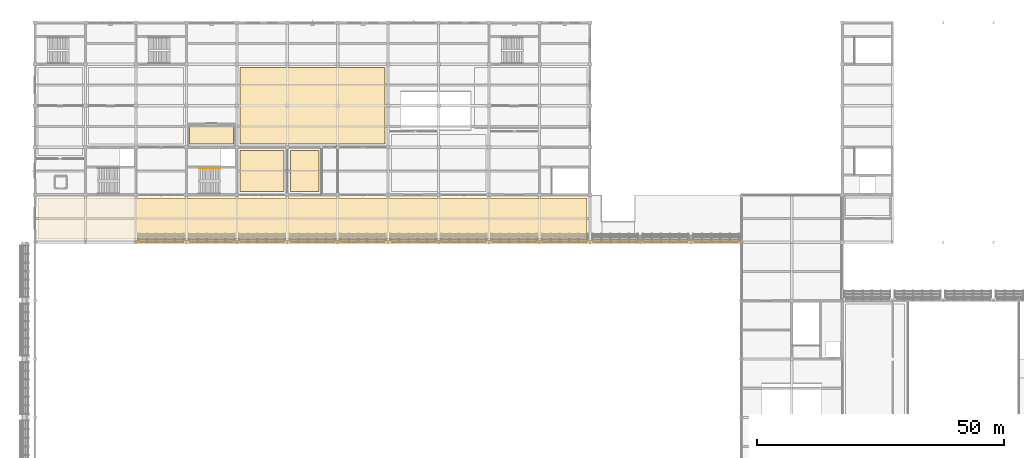
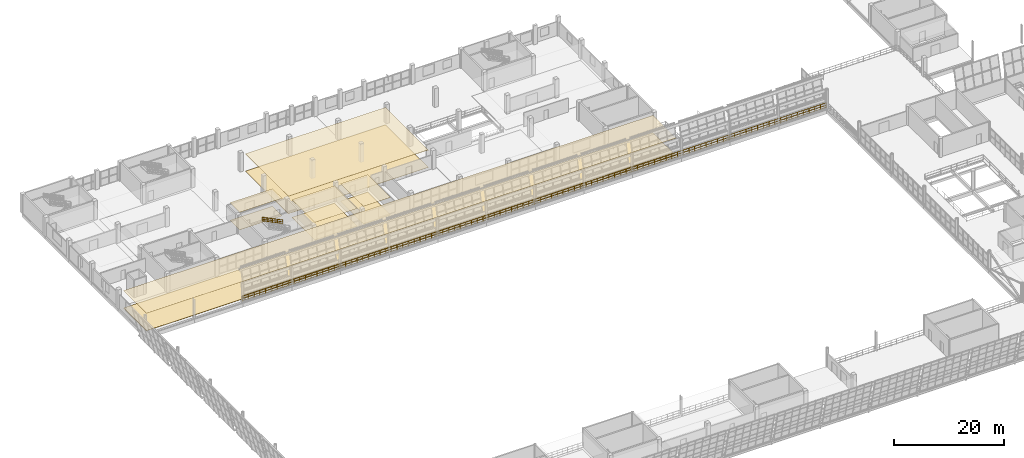
# One storey, part 150 of 157: 10 coverings, 2 railings.
"""IFC4 building model written with IfcOpenShell, lengths in metres."""

from ifc_helpers import new_model, si_unit, direction, frame, origin, origin_2d, place, context, subcontext, project, spatial, polyline, circle, outline, extrude, material, layer, layer_set, type_object, element, save


model = new_model("IFC4")

# Units and contexts
model_context = context("Model", 3, precision=1e-05, world=origin(), true_north=direction((0.0, 1.0)))
body_context = subcontext(model_context, "Body", "Model", "MODEL_VIEW")
ifc_project = project(units=[si_unit("LENGTHUNIT", "METRE"), si_unit("AREAUNIT", "SQUARE_METRE"), si_unit("VOLUMEUNIT", "CUBIC_METRE"), si_unit("PLANEANGLEUNIT", "RADIAN"), si_unit("MASSUNIT", "GRAM", prefix="KILO")], contexts=[model_context])

# Site, building, storey
site_placement = place(None, origin())
site = spatial("IfcSite", under=ifc_project, at=site_placement, CompositionType="ELEMENT")
building_placement = place(site_placement, origin())
building = spatial("IfcBuilding", under=site, at=building_placement, Name="Brelvane Convention Centre", CompositionType="ELEMENT")
storey_placement = place(building_placement, frame((0.0, 0.0, 10.800048828125)))
storey = spatial("IfcBuildingStorey", under=building, at=storey_placement, Name="L02", CompositionType="ELEMENT", Elevation=10.800048828125)

# Coverings
ifc_material_1 = material(Name="Perforated Anodised Aluminium Alloy 6063 Acoustic Baffle", Category="aluminium")
ifc_layer_1 = layer(ifc_material_1, 0.074951171875)
ifc_layer_set_1 = layer_set([ifc_layer_1], Name="Perforated Anodised Aluminium Alloy 6063 Acoustic Baffle")
covering_type_1 = type_object("IfcCoveringType", Name="Interior Finish CL-BAF-75", PredefinedType="CEILING", material=ifc_layer_set_1)
covering_1_placement = place(storey_placement, frame((0.0, 0.0, 3.829833984375)))
element("IfcCovering", 1, at=covering_1_placement, inside=storey, type_object=covering_type_1, Name="Meeting Room 303 Acoustic Ceiling (CL-BAF-75)", PredefinedType="CEILING", context=body_context, shape_type="SweptSolid", body=[
    extrude(outline(polyline([(41.429931640625, 119.429931640625), (70.77001953125, 119.429931640625), (70.77001953125, 134.969970703125), (41.429931640625, 134.969970703125), (41.429931640625, 119.429931640625)])), origin(), (0.0, 0.0, 1.0), 0.0751953125),
])
ifc_material_2 = material(Name="Moisture-Resistant Acoustic Gypsum Ceiling Tile Grade A")
ifc_layer_2 = layer(ifc_material_2, 0.01806640625)
ifc_layer_set_2 = layer_set([ifc_layer_2], Name="Moisture-Resistant Acoustic Gypsum Ceiling Tile Grade A")
covering_type_2 = type_object("IfcCoveringType", Name="Interior Finish CL-GYP-18", PredefinedType="CEILING", material=ifc_layer_set_2)
covering_2_placement = place(storey_placement, frame((0.0, 0.0, 3.886962890625)))
element("IfcCovering", 2, at=covering_2_placement, inside=storey, type_object=covering_type_2, Name="Firefighting Lift Lobby C7 Acoustic Ceiling (CL-GYP-18)", PredefinedType="CEILING", context=body_context, shape_type="SweptSolid", body=[
    extrude(outline(polyline([(31.22998046875, 119.429931640625), (40.169921875, 119.429931640625), (40.169921875, 122.969970703125), (31.22998046875, 122.969970703125), (31.22998046875, 119.429931640625)])), origin(), (0.0, 0.0, 1.0), 0.01806640625),
])
covering_3_placement = place(storey_placement, frame((0.0, 0.0, 3.886962890625)))
element("IfcCovering", 3, at=covering_3_placement, inside=storey, type_object=covering_type_2, Name="Level 2 Male Restroom Acoustic Ceiling (CL-GYP-18)", PredefinedType="CEILING", context=body_context, shape_type="SweptSolid", body=[
    extrude(outline(polyline([(41.429931640625, 109.830078125), (50.3701171875, 109.830078125), (50.3701171875, 118.169921875), (41.429931640625, 118.169921875), (41.429931640625, 109.830078125)])), origin(), (0.0, 0.0, 1.0), 0.01806640625),
])
ifc_material_3 = material(Name="Moisture-Resistant Acoustic Gypsum Ceiling Tile Grade A")
ifc_layer_3 = layer(ifc_material_3, 0.02490234375)
ifc_layer_set_3 = layer_set([ifc_layer_3], Name="Moisture-Resistant Acoustic Gypsum Ceiling Tile Grade A")
covering_type_3 = type_object("IfcCoveringType", Name="Interior Finish CL-GYP-25", PredefinedType="CEILING", material=ifc_layer_set_3)
covering_4_placement = place(storey_placement, frame((0.0, 0.0, 3.8798828125)))
element("IfcCovering", 4, at=covering_4_placement, inside=storey, type_object=covering_type_3, Name="Level 2 Female Restroom Acoustic Ceiling (CL-GYP-25)", PredefinedType="CEILING", context=body_context, shape_type="SweptSolid", body=[
    extrude(outline(polyline([(51.6298828125, 109.830078125), (57.3701171875, 109.830078125), (57.3701171875, 118.169921875), (51.6298828125, 118.169921875), (51.6298828125, 109.830078125)])), origin(), (0.0, 0.0, 1.0), 0.025146484375),
])
ifc_material_4 = material(Name="Moisture-Resistant Acoustic Gypsum Ceiling Tile Grade A")
ifc_layer_4 = layer(ifc_material_4, 0.033935546875)
ifc_layer_set_4 = layer_set([ifc_layer_4], Name="Moisture-Resistant Acoustic Gypsum Ceiling Tile Grade A")
covering_type_4 = type_object("IfcCoveringType", Name="Interior Finish CL-GYP-34", PredefinedType="CEILING", material=ifc_layer_set_4)
covering_5_placement = place(storey_placement, frame((0.0, 0.0, 3.85595703125)))
element("IfcCovering", 5, at=covering_5_placement, inside=storey, type_object=covering_type_4, Name="Pre-function Foyer Seminar L02 Acoustic Ceiling (CL-GYP-34)", PredefinedType="CEILING", context=body_context, shape_type="SweptSolid", body=[
    extrude(outline(polyline([(0.6298828125, 100.22998046875), (111.570068359375, 100.22998046875), (111.570068359375, 108.570068359375), (0.6298828125, 108.570068359375), (0.6298828125, 100.22998046875)])), origin(), (0.0, 0.0, 1.0), 0.033935546875),
])
ifc_material_5 = material(Name="Solution-Dyed Heavy Contract Wool Carpet Class 1")
ifc_layer_5 = layer(ifc_material_5, 0.02197265625)
ifc_layer_set_5 = layer_set([ifc_layer_5], Name="Solution-Dyed Heavy Contract Wool Carpet Class 1")
covering_type_5 = type_object("IfcCoveringType", Name="Interior Finish FL-CPT-22", PredefinedType="FLOORING", material=ifc_layer_set_5)
covering_6_placement = place(storey_placement, origin())
element("IfcCovering", 6, at=covering_6_placement, inside=storey, type_object=covering_type_5, Name="Firefighting Lift Lobby C7 Floor Finish (FL-CPT-22)", PredefinedType="FLOORING", context=body_context, shape_type="SweptSolid", body=[
    extrude(outline(polyline([(31.22998046875, 119.429931640625), (40.169921875, 119.429931640625), (40.169921875, 122.969970703125), (31.22998046875, 122.969970703125), (31.22998046875, 119.429931640625)])), origin(), (0.0, 0.0, 1.0), 0.02197265625),
])
covering_7_placement = place(storey_placement, origin())
element("IfcCovering", 7, at=covering_7_placement, inside=storey, type_object=covering_type_5, Name="Level 2 Male Restroom Floor Finish (FL-CPT-22)", PredefinedType="FLOORING", context=body_context, shape_type="SweptSolid", body=[
    extrude(outline(polyline([(41.429931640625, 109.830078125), (50.3701171875, 109.830078125), (50.3701171875, 118.169921875), (41.429931640625, 118.169921875), (41.429931640625, 109.830078125)])), origin(), (0.0, 0.0, 1.0), 0.02197265625),
])
ifc_material_6 = material(Name="Solution-Dyed Heavy Contract Wool Carpet Class 1")
ifc_layer_6 = layer(ifc_material_6, 0.028076171875)
ifc_layer_set_6 = layer_set([ifc_layer_6], Name="Solution-Dyed Heavy Contract Wool Carpet Class 1")
covering_type_6 = type_object("IfcCoveringType", Name="Interior Finish FL-CPT-28", PredefinedType="FLOORING", material=ifc_layer_set_6)
covering_8_placement = place(storey_placement, origin())
element("IfcCovering", 8, at=covering_8_placement, inside=storey, type_object=covering_type_6, Name="Level 2 Female Restroom Floor Finish (FL-CPT-28)", PredefinedType="FLOORING", context=body_context, shape_type="SweptSolid", body=[
    extrude(outline(polyline([(51.6298828125, 109.830078125), (57.3701171875, 109.830078125), (57.3701171875, 118.169921875), (51.6298828125, 118.169921875), (51.6298828125, 109.830078125)])), origin(), (0.0, 0.0, 1.0), 0.02783203125),
])
ifc_material_7 = material(Name="Polished Basalt-Aggregate Terrazzo Screed Concrete M30", Category="masonry")
ifc_layer_7 = layer(ifc_material_7, 0.031982421875)
ifc_layer_set_7 = layer_set([ifc_layer_7], Name="Polished Basalt-Aggregate Terrazzo Screed Concrete M30")
covering_type_7 = type_object("IfcCoveringType", Name="Interior Finish FL-STN-32", PredefinedType="FLOORING", material=ifc_layer_set_7)
covering_9_placement = place(storey_placement, origin())
element("IfcCovering", 9, at=covering_9_placement, inside=storey, type_object=covering_type_7, Name="Pre-function Foyer Seminar L02 Floor Finish (FL-STN-32)", PredefinedType="FLOORING", context=body_context, shape_type="SweptSolid", body=[
    extrude(outline(polyline([(0.6298828125, 100.22998046875), (111.570068359375, 100.22998046875), (111.570068359375, 108.570068359375), (0.6298828125, 108.570068359375), (0.6298828125, 100.22998046875)])), origin(), (0.0, 0.0, 1.0), 0.031982421875),
])
ifc_material_8 = material(Name="Polished Basalt-Aggregate Terrazzo Screed Concrete M30", Category="masonry")
ifc_layer_8 = layer(ifc_material_8, 0.050048828125)
ifc_layer_set_8 = layer_set([ifc_layer_8], Name="Polished Basalt-Aggregate Terrazzo Screed Concrete M30")
covering_type_8 = type_object("IfcCoveringType", Name="Interior Finish FL-TER-50", PredefinedType="FLOORING", material=ifc_layer_set_8)
covering_10_placement = place(storey_placement, origin())
element("IfcCovering", 10, at=covering_10_placement, inside=storey, type_object=covering_type_8, Name="Meeting Room 303 Floor Finish (FL-TER-50)", PredefinedType="FLOORING", context=body_context, shape_type="SweptSolid", body=[
    extrude(outline(polyline([(41.429931640625, 119.429931640625), (70.77001953125, 119.429931640625), (70.77001953125, 134.969970703125), (41.429931640625, 134.969970703125), (41.429931640625, 119.429931640625)])), origin(), (0.0, 0.0, 1.0), 0.050048828125),
])

# Railings
ifc_material_9 = material(Name="Steel E350 (350 MPa)", Category="steel")
railing_type_1 = type_object("IfcRailingType", Name="Railing GR-EXT-1", PredefinedType="GUARDRAIL", material=ifc_material_9)
railing_1_placement = place(storey_placement, frame((20.449951171875, 99.679931640625, 0.0)))
element("IfcRailing", 11, at=railing_1_placement, inside=storey, type_object=railing_type_1, Name="Railing GR-EXT-1 L02-court_s_edge_L02", PredefinedType="GUARDRAIL", context=body_context, shape_type="SweptSolid", body=[
    extrude(circle(Radius=0.02392578125, at=origin_2d()), frame((0.0, 0.0, 1.1259765625), z_axis=(1.0, 0.0, 0.0), x_axis=(0.0, 1.0, 0.0)), (0.0, 0.0, 1.0), 122.27001953125),
    extrude(circle(Radius=0.02392578125, at=origin_2d()), frame((0.0, 0.0, 0.597900390625), z_axis=(1.0, 0.0, 0.0), x_axis=(0.0, 1.0, 0.0)), (0.0, 0.0, 1.0), 122.27001953125),
    extrude(circle(Radius=0.02392578125, at=origin_2d()), frame((0.0, 0.0, 0.139892578125), z_axis=(1.0, 0.0, 0.0), x_axis=(0.0, 1.0, 0.0)), (0.0, 0.0, 1.0), 122.27001953125),
    extrude(circle(Radius=0.02099609375, at=origin_2d()), origin(), (0.0, 0.0, 1.0), 1.101806640625),
    extrude(circle(Radius=0.02099609375, at=origin_2d()), frame((1.19873046875, 0.0, 0.0)), (0.0, 0.0, 1.0), 1.101806640625),
    extrude(circle(Radius=0.02099609375, at=origin_2d()), frame((2.3974609375, 0.0, 0.0)), (0.0, 0.0, 1.0), 1.101806640625),
    extrude(circle(Radius=0.02099609375, at=origin_2d()), frame((3.59619140625, 0.0, 0.0)), (0.0, 0.0, 1.0), 1.101806640625),
    extrude(circle(Radius=0.02099609375, at=origin_2d()), frame((4.794921875, 0.0, 0.0)), (0.0, 0.0, 1.0), 1.101806640625),
    extrude(circle(Radius=0.02099609375, at=origin_2d()), frame((5.99365234375, 0.0, 0.0)), (0.0, 0.0, 1.0), 1.101806640625),
    extrude(circle(Radius=0.02099609375, at=origin_2d()), frame((7.1923828125, 0.0, 0.0)), (0.0, 0.0, 1.0), 1.101806640625),
    extrude(circle(Radius=0.02099609375, at=origin_2d()), frame((8.39111328125, 0.0, 0.0)), (0.0, 0.0, 1.0), 1.101806640625),
    extrude(circle(Radius=0.02099609375, at=origin_2d()), frame((9.58984375, 0.0, 0.0)), (0.0, 0.0, 1.0), 1.101806640625),
    extrude(circle(Radius=0.02099609375, at=origin_2d()), frame((10.78857421875, 0.0, 0.0)), (0.0, 0.0, 1.0), 1.101806640625),
    extrude(circle(Radius=0.02099609375, at=origin_2d()), frame((11.9873046875, 0.0, 0.0)), (0.0, 0.0, 1.0), 1.101806640625),
    extrude(circle(Radius=0.02099609375, at=origin_2d()), frame((13.18603515625, 0.0, 0.0)), (0.0, 0.0, 1.0), 1.101806640625),
    extrude(circle(Radius=0.02099609375, at=origin_2d()), frame((14.384765625, 0.0, 0.0)), (0.0, 0.0, 1.0), 1.101806640625),
    extrude(circle(Radius=0.02099609375, at=origin_2d()), frame((15.58349609375, 0.0, 0.0)), (0.0, 0.0, 1.0), 1.101806640625),
    extrude(circle(Radius=0.02099609375, at=origin_2d()), frame((16.7822265625, 0.0, 0.0)), (0.0, 0.0, 1.0), 1.101806640625),
    extrude(circle(Radius=0.02099609375, at=origin_2d()), frame((17.98095703125, 0.0, 0.0)), (0.0, 0.0, 1.0), 1.101806640625),
    extrude(circle(Radius=0.02099609375, at=origin_2d()), frame((19.1796875, 0.0, 0.0)), (0.0, 0.0, 1.0), 1.101806640625),
    extrude(circle(Radius=0.02099609375, at=origin_2d()), frame((20.37841796875, 0.0, 0.0)), (0.0, 0.0, 1.0), 1.101806640625),
    extrude(circle(Radius=0.02099609375, at=origin_2d()), frame((21.5771484375, 0.0, 0.0)), (0.0, 0.0, 1.0), 1.101806640625),
    extrude(circle(Radius=0.02099609375, at=origin_2d()), frame((22.77587890625, 0.0, 0.0)), (0.0, 0.0, 1.0), 1.101806640625),
    extrude(circle(Radius=0.02099609375, at=origin_2d()), frame((23.974609375, 0.0, 0.0)), (0.0, 0.0, 1.0), 1.101806640625),
    extrude(circle(Radius=0.02099609375, at=origin_2d()), frame((25.17333984375, 0.0, 0.0)), (0.0, 0.0, 1.0), 1.101806640625),
    extrude(circle(Radius=0.02099609375, at=origin_2d()), frame((26.3720703125, 0.0, 0.0)), (0.0, 0.0, 1.0), 1.101806640625),
    extrude(circle(Radius=0.02099609375, at=origin_2d()), frame((27.57080078125, 0.0, 0.0)), (0.0, 0.0, 1.0), 1.101806640625),
    extrude(circle(Radius=0.02099609375, at=origin_2d()), frame((28.76953125, 0.0, 0.0)), (0.0, 0.0, 1.0), 1.101806640625),
    extrude(circle(Radius=0.02099609375, at=origin_2d()), frame((29.96826171875, 0.0, 0.0)), (0.0, 0.0, 1.0), 1.101806640625),
    extrude(circle(Radius=0.02099609375, at=origin_2d()), frame((31.166748046875, 0.0, 0.0)), (0.0, 0.0, 1.0), 1.101806640625),
    extrude(circle(Radius=0.02099609375, at=origin_2d()), frame((32.365478515625, 0.0, 0.0)), (0.0, 0.0, 1.0), 1.101806640625),
    extrude(circle(Radius=0.02099609375, at=origin_2d()), frame((33.564208984375, 0.0, 0.0)), (0.0, 0.0, 1.0), 1.101806640625),
    extrude(circle(Radius=0.02099609375, at=origin_2d()), frame((34.762939453125, 0.0, 0.0)), (0.0, 0.0, 1.0), 1.101806640625),
    extrude(circle(Radius=0.02099609375, at=origin_2d()), frame((35.961669921875, 0.0, 0.0)), (0.0, 0.0, 1.0), 1.101806640625),
    extrude(circle(Radius=0.02099609375, at=origin_2d()), frame((37.160400390625, 0.0, 0.0)), (0.0, 0.0, 1.0), 1.101806640625),
    extrude(circle(Radius=0.02099609375, at=origin_2d()), frame((38.359130859375, 0.0, 0.0)), (0.0, 0.0, 1.0), 1.101806640625),
    extrude(circle(Radius=0.02099609375, at=origin_2d()), frame((39.557861328125, 0.0, 0.0)), (0.0, 0.0, 1.0), 1.101806640625),
    extrude(circle(Radius=0.02099609375, at=origin_2d()), frame((40.756591796875, 0.0, 0.0)), (0.0, 0.0, 1.0), 1.101806640625),
    extrude(circle(Radius=0.02099609375, at=origin_2d()), frame((41.955322265625, 0.0, 0.0)), (0.0, 0.0, 1.0), 1.101806640625),
    extrude(circle(Radius=0.02099609375, at=origin_2d()), frame((43.154052734375, 0.0, 0.0)), (0.0, 0.0, 1.0), 1.101806640625),
    extrude(circle(Radius=0.02099609375, at=origin_2d()), frame((44.352783203125, 0.0, 0.0)), (0.0, 0.0, 1.0), 1.101806640625),
    extrude(circle(Radius=0.02099609375, at=origin_2d()), frame((45.551513671875, 0.0, 0.0)), (0.0, 0.0, 1.0), 1.101806640625),
    extrude(circle(Radius=0.02099609375, at=origin_2d()), frame((46.750244140625, 0.0, 0.0)), (0.0, 0.0, 1.0), 1.101806640625),
    extrude(circle(Radius=0.02099609375, at=origin_2d()), frame((47.948974609375, 0.0, 0.0)), (0.0, 0.0, 1.0), 1.101806640625),
    extrude(circle(Radius=0.02099609375, at=origin_2d()), frame((49.147705078125, 0.0, 0.0)), (0.0, 0.0, 1.0), 1.101806640625),
    extrude(circle(Radius=0.02099609375, at=origin_2d()), frame((50.346435546875, 0.0, 0.0)), (0.0, 0.0, 1.0), 1.101806640625),
    extrude(circle(Radius=0.02099609375, at=origin_2d()), frame((51.545166015625, 0.0, 0.0)), (0.0, 0.0, 1.0), 1.101806640625),
    extrude(circle(Radius=0.02099609375, at=origin_2d()), frame((52.743896484375, 0.0, 0.0)), (0.0, 0.0, 1.0), 1.101806640625),
    extrude(circle(Radius=0.02099609375, at=origin_2d()), frame((53.942626953125, 0.0, 0.0)), (0.0, 0.0, 1.0), 1.101806640625),
    extrude(circle(Radius=0.02099609375, at=origin_2d()), frame((55.141357421875, 0.0, 0.0)), (0.0, 0.0, 1.0), 1.101806640625),
    extrude(circle(Radius=0.02099609375, at=origin_2d()), frame((56.340087890625, 0.0, 0.0)), (0.0, 0.0, 1.0), 1.101806640625),
    extrude(circle(Radius=0.02099609375, at=origin_2d()), frame((57.538818359375, 0.0, 0.0)), (0.0, 0.0, 1.0), 1.101806640625),
    extrude(circle(Radius=0.02099609375, at=origin_2d()), frame((58.737548828125, 0.0, 0.0)), (0.0, 0.0, 1.0), 1.101806640625),
    extrude(circle(Radius=0.02099609375, at=origin_2d()), frame((59.936279296875, 0.0, 0.0)), (0.0, 0.0, 1.0), 1.101806640625),
    extrude(circle(Radius=0.02099609375, at=origin_2d()), frame((61.135009765625, 0.0, 0.0)), (0.0, 0.0, 1.0), 1.101806640625),
    extrude(circle(Radius=0.02099609375, at=origin_2d()), frame((62.333740234375, 0.0, 0.0)), (0.0, 0.0, 1.0), 1.101806640625),
    extrude(circle(Radius=0.02099609375, at=origin_2d()), frame((63.532470703125, 0.0, 0.0)), (0.0, 0.0, 1.0), 1.101806640625),
    extrude(circle(Radius=0.02099609375, at=origin_2d()), frame((64.731201171875, 0.0, 0.0)), (0.0, 0.0, 1.0), 1.101806640625),
    extrude(circle(Radius=0.02099609375, at=origin_2d()), frame((65.929931640625, 0.0, 0.0)), (0.0, 0.0, 1.0), 1.101806640625),
    extrude(circle(Radius=0.02099609375, at=origin_2d()), frame((67.128662109375, 0.0, 0.0)), (0.0, 0.0, 1.0), 1.101806640625),
    extrude(circle(Radius=0.02099609375, at=origin_2d()), frame((68.327392578125, 0.0, 0.0)), (0.0, 0.0, 1.0), 1.101806640625),
    extrude(circle(Radius=0.02099609375, at=origin_2d()), frame((69.526123046875, 0.0, 0.0)), (0.0, 0.0, 1.0), 1.101806640625),
    extrude(circle(Radius=0.02099609375, at=origin_2d()), frame((70.724853515625, 0.0, 0.0)), (0.0, 0.0, 1.0), 1.101806640625),
    extrude(circle(Radius=0.02099609375, at=origin_2d()), frame((71.923583984375, 0.0, 0.0)), (0.0, 0.0, 1.0), 1.101806640625),
    extrude(circle(Radius=0.02099609375, at=origin_2d()), frame((73.122314453125, 0.0, 0.0)), (0.0, 0.0, 1.0), 1.101806640625),
    extrude(circle(Radius=0.02099609375, at=origin_2d()), frame((74.321044921875, 0.0, 0.0)), (0.0, 0.0, 1.0), 1.101806640625),
    extrude(circle(Radius=0.02099609375, at=origin_2d()), frame((75.519775390625, 0.0, 0.0)), (0.0, 0.0, 1.0), 1.101806640625),
    extrude(circle(Radius=0.02099609375, at=origin_2d()), frame((76.718505859375, 0.0, 0.0)), (0.0, 0.0, 1.0), 1.101806640625),
    extrude(circle(Radius=0.02099609375, at=origin_2d()), frame((77.917236328125, 0.0, 0.0)), (0.0, 0.0, 1.0), 1.101806640625),
    extrude(circle(Radius=0.02099609375, at=origin_2d()), frame((79.115966796875, 0.0, 0.0)), (0.0, 0.0, 1.0), 1.101806640625),
    extrude(circle(Radius=0.02099609375, at=origin_2d()), frame((80.314697265625, 0.0, 0.0)), (0.0, 0.0, 1.0), 1.101806640625),
    extrude(circle(Radius=0.02099609375, at=origin_2d()), frame((81.513427734375, 0.0, 0.0)), (0.0, 0.0, 1.0), 1.101806640625),
    extrude(circle(Radius=0.02099609375, at=origin_2d()), frame((82.712158203125, 0.0, 0.0)), (0.0, 0.0, 1.0), 1.101806640625),
    extrude(circle(Radius=0.02099609375, at=origin_2d()), frame((83.910888671875, 0.0, 0.0)), (0.0, 0.0, 1.0), 1.101806640625),
    extrude(circle(Radius=0.02099609375, at=origin_2d()), frame((85.109619140625, 0.0, 0.0)), (0.0, 0.0, 1.0), 1.101806640625),
    extrude(circle(Radius=0.02099609375, at=origin_2d()), frame((86.308349609375, 0.0, 0.0)), (0.0, 0.0, 1.0), 1.101806640625),
    extrude(circle(Radius=0.02099609375, at=origin_2d()), frame((87.507080078125, 0.0, 0.0)), (0.0, 0.0, 1.0), 1.101806640625),
    extrude(circle(Radius=0.02099609375, at=origin_2d()), frame((88.705810546875, 0.0, 0.0)), (0.0, 0.0, 1.0), 1.101806640625),
    extrude(circle(Radius=0.02099609375, at=origin_2d()), frame((89.904541015625, 0.0, 0.0)), (0.0, 0.0, 1.0), 1.101806640625),
    extrude(circle(Radius=0.02099609375, at=origin_2d()), frame((91.103271484375, 0.0, 0.0)), (0.0, 0.0, 1.0), 1.101806640625),
    extrude(circle(Radius=0.02099609375, at=origin_2d()), frame((92.3017578125, 0.0, 0.0)), (0.0, 0.0, 1.0), 1.101806640625),
    extrude(circle(Radius=0.02099609375, at=origin_2d()), frame((93.50048828125, 0.0, 0.0)), (0.0, 0.0, 1.0), 1.101806640625),
    extrude(circle(Radius=0.02099609375, at=origin_2d()), frame((94.69921875, 0.0, 0.0)), (0.0, 0.0, 1.0), 1.101806640625),
    extrude(circle(Radius=0.02099609375, at=origin_2d()), frame((95.89794921875, 0.0, 0.0)), (0.0, 0.0, 1.0), 1.101806640625),
    extrude(circle(Radius=0.02099609375, at=origin_2d()), frame((97.0966796875, 0.0, 0.0)), (0.0, 0.0, 1.0), 1.101806640625),
    extrude(circle(Radius=0.02099609375, at=origin_2d()), frame((98.29541015625, 0.0, 0.0)), (0.0, 0.0, 1.0), 1.101806640625),
    extrude(circle(Radius=0.02099609375, at=origin_2d()), frame((99.494140625, 0.0, 0.0)), (0.0, 0.0, 1.0), 1.101806640625),
    extrude(circle(Radius=0.02099609375, at=origin_2d()), frame((100.69287109375, 0.0, 0.0)), (0.0, 0.0, 1.0), 1.101806640625),
    extrude(circle(Radius=0.02099609375, at=origin_2d()), frame((101.8916015625, 0.0, 0.0)), (0.0, 0.0, 1.0), 1.101806640625),
    extrude(circle(Radius=0.02099609375, at=origin_2d()), frame((103.09033203125, 0.0, 0.0)), (0.0, 0.0, 1.0), 1.101806640625),
    extrude(circle(Radius=0.02099609375, at=origin_2d()), frame((104.2890625, 0.0, 0.0)), (0.0, 0.0, 1.0), 1.101806640625),
    extrude(circle(Radius=0.02099609375, at=origin_2d()), frame((105.48779296875, 0.0, 0.0)), (0.0, 0.0, 1.0), 1.101806640625),
    extrude(circle(Radius=0.02099609375, at=origin_2d()), frame((106.6865234375, 0.0, 0.0)), (0.0, 0.0, 1.0), 1.101806640625),
    extrude(circle(Radius=0.02099609375, at=origin_2d()), frame((107.88525390625, 0.0, 0.0)), (0.0, 0.0, 1.0), 1.101806640625),
    extrude(circle(Radius=0.02099609375, at=origin_2d()), frame((109.083984375, 0.0, 0.0)), (0.0, 0.0, 1.0), 1.101806640625),
    extrude(circle(Radius=0.02099609375, at=origin_2d()), frame((110.28271484375, 0.0, 0.0)), (0.0, 0.0, 1.0), 1.101806640625),
    extrude(circle(Radius=0.02099609375, at=origin_2d()), frame((111.4814453125, 0.0, 0.0)), (0.0, 0.0, 1.0), 1.101806640625),
    extrude(circle(Radius=0.02099609375, at=origin_2d()), frame((112.68017578125, 0.0, 0.0)), (0.0, 0.0, 1.0), 1.101806640625),
    extrude(circle(Radius=0.02099609375, at=origin_2d()), frame((113.87890625, 0.0, 0.0)), (0.0, 0.0, 1.0), 1.101806640625),
    extrude(circle(Radius=0.02099609375, at=origin_2d()), frame((115.07763671875, 0.0, 0.0)), (0.0, 0.0, 1.0), 1.101806640625),
    extrude(circle(Radius=0.02099609375, at=origin_2d()), frame((116.2763671875, 0.0, 0.0)), (0.0, 0.0, 1.0), 1.101806640625),
    extrude(circle(Radius=0.02099609375, at=origin_2d()), frame((117.47509765625, 0.0, 0.0)), (0.0, 0.0, 1.0), 1.101806640625),
    extrude(circle(Radius=0.02099609375, at=origin_2d()), frame((118.673828125, 0.0, 0.0)), (0.0, 0.0, 1.0), 1.101806640625),
    extrude(circle(Radius=0.02099609375, at=origin_2d()), frame((119.87255859375, 0.0, 0.0)), (0.0, 0.0, 1.0), 1.101806640625),
    extrude(circle(Radius=0.02099609375, at=origin_2d()), frame((121.0712890625, 0.0, 0.0)), (0.0, 0.0, 1.0), 1.101806640625),
    extrude(circle(Radius=0.02099609375, at=origin_2d()), frame((122.27001953125, 0.0, 0.0)), (0.0, 0.0, 1.0), 1.101806640625),
])
ifc_material_10 = material(Name="Steel E350 (350 MPa)", Category="steel")
railing_type_2 = type_object("IfcRailingType", Name="Stair Railing HR-ST-1", PredefinedType="HANDRAIL", material=ifc_material_10)
railing_2_placement = place(storey_placement, frame((37.43994140625, 114.570068359375, 2.099853515625)))
element("IfcRailing", 12, at=railing_2_placement, inside=storey, type_object=railing_type_2, Name="Stair ST-07 L02 Outer Handrail F2", PredefinedType="HANDRAIL", context=body_context, shape_type="SweptSolid", body=[
    extrude(circle(Radius=0.02392578125, at=origin_2d()), frame((0.0, 0.0, 0.89599609375), z_axis=(-0.89980923391, 0.0, 0.43628355753), x_axis=(0.0, -1.0, 0.0)), (0.0, 0.0, 1.0), 4.767822265625),
    extrude(circle(Radius=0.02392578125, at=origin_2d()), frame((0.0, 0.0, 0.478271484375), z_axis=(-0.89980923391, 0.0, 0.43628355753), x_axis=(0.0, -1.0, 0.0)), (0.0, 0.0, 1.0), 4.767822265625),
    extrude(circle(Radius=0.02392578125, at=origin_2d()), frame((0.0, 0.0, 0.139892578125), z_axis=(-0.89980923391, 0.0, 0.43628355753), x_axis=(0.0, -1.0, 0.0)), (0.0, 0.0, 1.0), 4.767822265625),
    extrude(circle(Radius=0.02099609375, at=origin_2d()), origin(), (0.0, 0.0, 1.0), 0.871826171875),
    extrude(circle(Radius=0.02099609375, at=origin_2d()), frame((-1.072509765625, 0.0, 0.52001953125)), (0.0, 0.0, 1.0), 0.871826171875),
    extrude(circle(Radius=0.02099609375, at=origin_2d()), frame((-2.14501953125, 0.0, 1.0400390625)), (0.0, 0.0, 1.0), 0.871826171875),
    extrude(circle(Radius=0.02099609375, at=origin_2d()), frame((-3.217529296875, 0.0, 1.56005859375)), (0.0, 0.0, 1.0), 0.871826171875),
    extrude(circle(Radius=0.02099609375, at=origin_2d()), frame((-4.2900390625, 0.0, 2.080078125)), (0.0, 0.0, 1.0), 0.871826171875),
])

save(model, "model.ifc")
